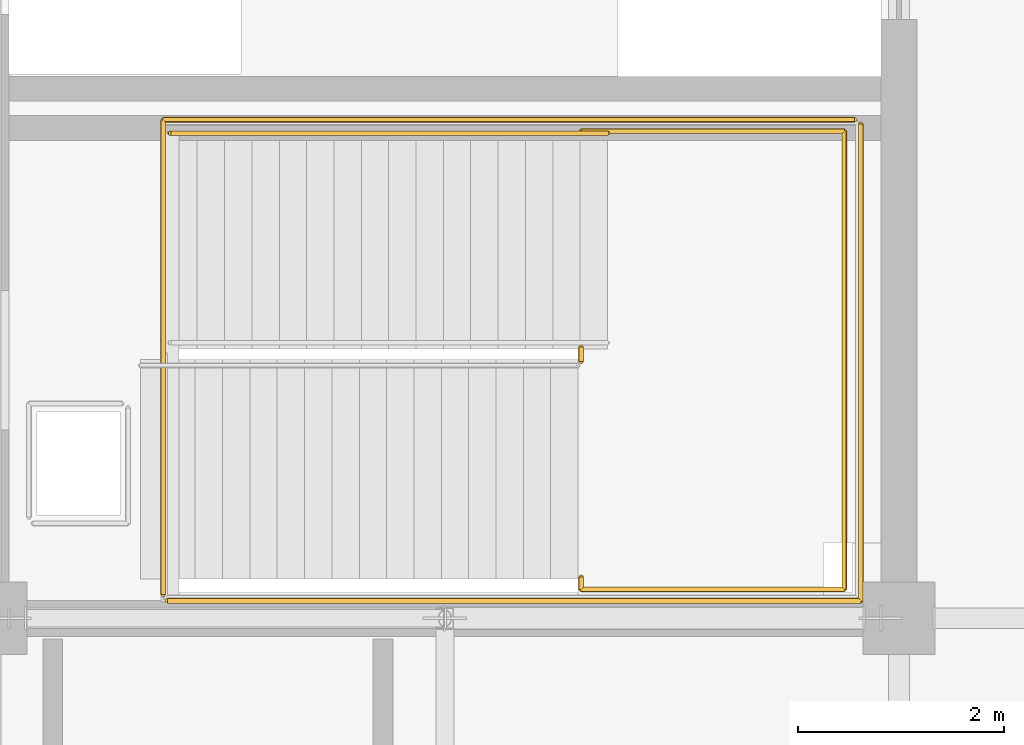
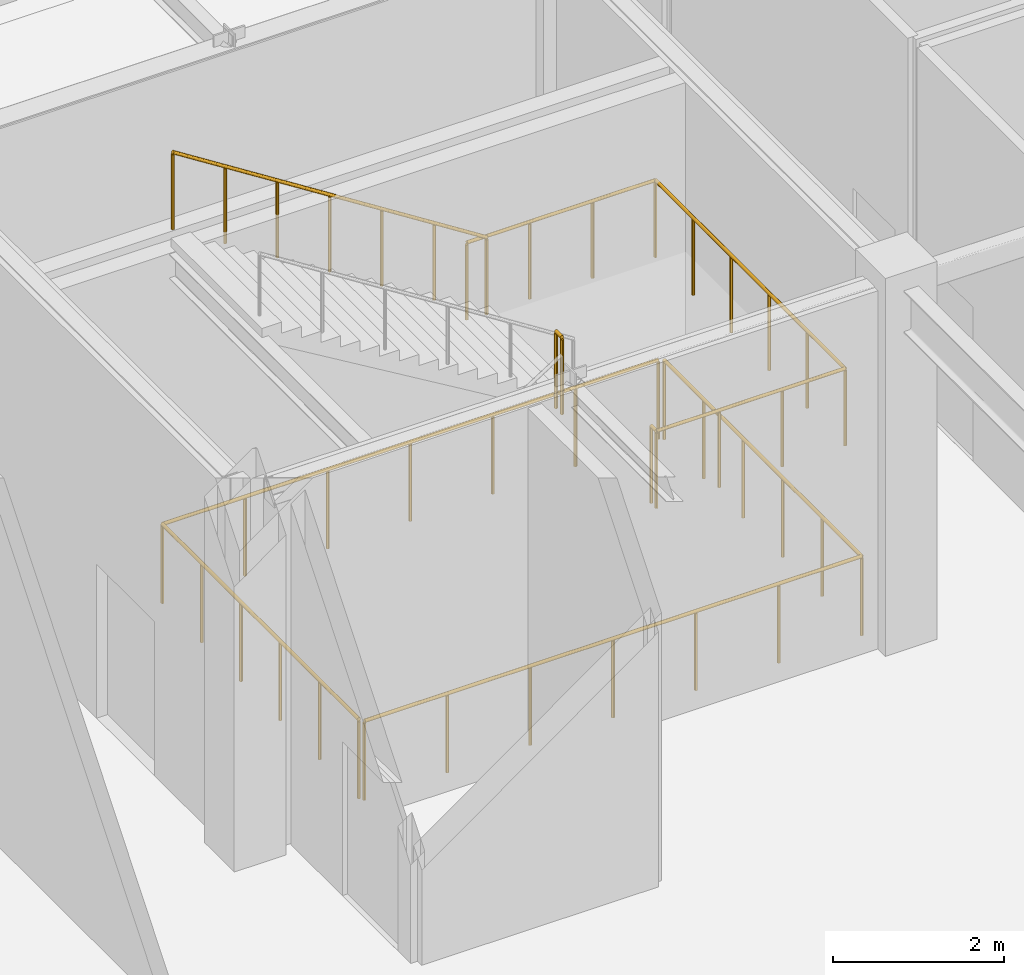
# One storey, part 174 of 184: 5 railings.
"""IFC4 building model written with IfcOpenShell, lengths in metres."""

from ifc_helpers import new_model, si_unit, direction, frame, origin, origin_2d, place, context, subcontext, project, spatial, circle, extrude, material, type_object, element, save


model = new_model("IFC4")

# Units and contexts
model_context = context("Model", 3, precision=1e-05, world=origin(), true_north=direction((0.0, 1.0)))
body_context = subcontext(model_context, "Body", "Model", "MODEL_VIEW")
ifc_project = project(units=[si_unit("LENGTHUNIT", "METRE"), si_unit("AREAUNIT", "SQUARE_METRE"), si_unit("VOLUMEUNIT", "CUBIC_METRE"), si_unit("PLANEANGLEUNIT", "RADIAN"), si_unit("MASSUNIT", "GRAM", prefix="KILO")], contexts=[model_context])

# Site, building, storey
site_placement = place(None, origin())
site = spatial("IfcSite", under=ifc_project, at=site_placement, CompositionType="ELEMENT")
building_placement = place(site_placement, origin())
building = spatial("IfcBuilding", under=site, at=building_placement, Name="Zhaolan Boulevard Law Courts", CompositionType="ELEMENT")
storey_placement = place(building_placement, frame((0.0, 0.0, 5.39990234375)))
storey = spatial("IfcBuildingStorey", under=building, at=storey_placement, Name="L01", CompositionType="ELEMENT", Elevation=5.39990234375)

# Railings
ifc_material_1 = material(Name="Powder-coated steel and tempered laminated glass", Category="steel")
railing_type_1 = type_object("IfcRailingType", Name="INTERIOR GUARDRAIL 1150", PredefinedType="GUARDRAIL", material=ifc_material_1)
railing_1_placement = place(storey_placement, frame((19.31005859375, 62.169921875, 0.0)))
element("IfcRailing", 1, at=railing_1_placement, inside=storey, type_object=railing_type_1, Name="Atrium Gallery Guardrail VG-1-V5-7A", PredefinedType="GUARDRAIL", context=body_context, shape_type="SweptSolid", body=[
    extrude(circle(Radius=0.02490234375, at=origin_2d()), frame((0.0, 0.0, 1.125), z_axis=(1.0, 0.0, 0.0), x_axis=(0.0, 1.0, 0.0)), (0.0, 0.0, 1.0), 6.719970703125),
    extrude(circle(Radius=0.02490234375, at=origin_2d()), frame((6.719970703125, 0.0, 1.125), z_axis=(0.0, 1.0, 0.0), x_axis=(-1.0, 0.0, 0.0)), (0.0, 0.0, 1.0), 4.6201171875),
    extrude(circle(Radius=0.02099609375, at=origin_2d()), origin(), (0.0, 0.0, 1.0), 1.099853515625),
    extrude(circle(Radius=0.02099609375, at=origin_2d()), frame((1.1201171875, 0.0, 0.0)), (0.0, 0.0, 1.0), 1.099853515625),
    extrude(circle(Radius=0.02099609375, at=origin_2d()), frame((2.239990234375, 0.0, 0.0)), (0.0, 0.0, 1.0), 1.099853515625),
    extrude(circle(Radius=0.02099609375, at=origin_2d()), frame((3.35986328125, 0.0, 0.0)), (0.0, 0.0, 1.0), 1.099853515625),
    extrude(circle(Radius=0.02099609375, at=origin_2d()), frame((4.47998046875, 0.0, 0.0)), (0.0, 0.0, 1.0), 1.099853515625),
    extrude(circle(Radius=0.02099609375, at=origin_2d()), frame((5.60009765625, 0.0, 0.0)), (0.0, 0.0, 1.0), 1.099853515625),
    extrude(circle(Radius=0.02099609375, at=origin_2d()), frame((6.719970703125, 0.0, 0.0)), (0.0, 0.0, 1.0), 1.099853515625),
    extrude(circle(Radius=0.02099609375, at=origin_2d()), frame((6.719970703125, 0.924072265625, 0.0)), (0.0, 0.0, 1.0), 1.099853515625),
    extrude(circle(Radius=0.02099609375, at=origin_2d()), frame((6.719970703125, 1.84814453125, 0.0)), (0.0, 0.0, 1.0), 1.099853515625),
    extrude(circle(Radius=0.02099609375, at=origin_2d()), frame((6.719970703125, 2.77197265625, 0.0)), (0.0, 0.0, 1.0), 1.099853515625),
    extrude(circle(Radius=0.02099609375, at=origin_2d()), frame((6.719970703125, 3.696044921875, 0.0)), (0.0, 0.0, 1.0), 1.099853515625),
    extrude(circle(Radius=0.02099609375, at=origin_2d()), frame((6.719970703125, 4.6201171875, 0.0)), (0.0, 0.0, 1.0), 1.099853515625),
])
railing_2_placement = place(storey_placement, frame((25.969970703125, 66.830078125, 0.0)))
element("IfcRailing", 2, at=railing_2_placement, inside=storey, type_object=railing_type_1, Name="Atrium Gallery Guardrail VG-1-V5-7B", PredefinedType="GUARDRAIL", context=body_context, shape_type="SweptSolid", body=[
    extrude(circle(Radius=0.02490234375, at=origin_2d()), frame((0.0, 0.0, 1.125), z_axis=(-1.0, 0.0, 0.0), x_axis=(0.0, -1.0, 0.0)), (0.0, 0.0, 1.0), 6.699951171875),
    extrude(circle(Radius=0.02490234375, at=origin_2d()), frame((-6.699951171875, 0.0, 1.125), z_axis=(0.0, -1.0, 0.0), x_axis=(1.0, 0.0, 0.0)), (0.0, 0.0, 1.0), 4.60009765625),
    extrude(circle(Radius=0.02099609375, at=origin_2d()), origin(), (0.0, 0.0, 1.0), 1.099853515625),
    extrude(circle(Radius=0.02099609375, at=origin_2d()), frame((-1.11669921875, 0.0, 0.0)), (0.0, 0.0, 1.0), 1.099853515625),
    extrude(circle(Radius=0.02099609375, at=origin_2d()), frame((-2.2333984375, 0.0, 0.0)), (0.0, 0.0, 1.0), 1.099853515625),
    extrude(circle(Radius=0.02099609375, at=origin_2d()), frame((-3.35009765625, 0.0, 0.0)), (0.0, 0.0, 1.0), 1.099853515625),
    extrude(circle(Radius=0.02099609375, at=origin_2d()), frame((-4.466552734375, 0.0, 0.0)), (0.0, 0.0, 1.0), 1.099853515625),
    extrude(circle(Radius=0.02099609375, at=origin_2d()), frame((-5.583251953125, 0.0, 0.0)), (0.0, 0.0, 1.0), 1.099853515625),
    extrude(circle(Radius=0.02099609375, at=origin_2d()), frame((-6.699951171875, 0.0, 0.0)), (0.0, 0.0, 1.0), 1.099853515625),
    extrude(circle(Radius=0.02099609375, at=origin_2d()), frame((-6.699951171875, -0.919921875, 0.0)), (0.0, 0.0, 1.0), 1.099853515625),
    extrude(circle(Radius=0.02099609375, at=origin_2d()), frame((-6.699951171875, -1.840087890625, 0.0)), (0.0, 0.0, 1.0), 1.099853515625),
    extrude(circle(Radius=0.02099609375, at=origin_2d()), frame((-6.699951171875, -2.760009765625, 0.0)), (0.0, 0.0, 1.0), 1.099853515625),
    extrude(circle(Radius=0.02099609375, at=origin_2d()), frame((-6.699951171875, -3.68017578125, 0.0)), (0.0, 0.0, 1.0), 1.099853515625),
    extrude(circle(Radius=0.02099609375, at=origin_2d()), frame((-6.699951171875, -4.60009765625, 0.0)), (0.0, 0.0, 1.0), 1.099853515625),
])
ifc_material_2 = material(Name="Powder-coated steel baluster guardrail", Category="steel")
railing_type_2 = type_object("IfcRailingType", Name="STAIR WELL GUARDRAIL 1120", PredefinedType="GUARDRAIL", material=ifc_material_2)
railing_3_placement = place(storey_placement, frame((23.320068359375, 62.39990234375, 2.7001953125)))
element("IfcRailing", 3, at=railing_3_placement, inside=storey, type_object=railing_type_2, Name="Half-Landing Guardrail SG-ST02-L01-M", PredefinedType="GUARDRAIL", context=body_context, shape_type="SweptSolid", body=[
    extrude(circle(Radius=0.02392578125, at=origin_2d()), frame((0.0, 0.0, 1.09619140625), z_axis=(0.0, -1.0, 0.0), x_axis=(1.0, 0.0, 0.0)), (0.0, 0.0, 1.0), 0.119873046875),
    extrude(circle(Radius=0.02392578125, at=origin_2d()), frame((0.0, -0.119873046875, 1.09619140625), z_axis=(1.0, 0.0, 0.0), x_axis=(0.0, 1.0, 0.0)), (0.0, 0.0, 1.0), 2.550048828125),
    extrude(circle(Radius=0.02392578125, at=origin_2d()), frame((2.550048828125, -0.119873046875, 1.09619140625), z_axis=(0.0, 1.0, 0.0), x_axis=(-1.0, 0.0, 0.0)), (0.0, 0.0, 1.0), 4.43994140625),
    extrude(circle(Radius=0.02392578125, at=origin_2d()), frame((2.550048828125, 4.320068359375, 1.09619140625), z_axis=(-1.0, 0.0, 0.0), x_axis=(0.0, -1.0, 0.0)), (0.0, 0.0, 1.0), 2.550048828125),
    extrude(circle(Radius=0.02099609375, at=origin_2d()), origin(), (0.0, 0.0, 1.0), 1.072021484375),
    extrude(circle(Radius=0.02099609375, at=origin_2d()), frame((0.0, -0.119873046875, 0.0)), (0.0, 0.0, 1.0), 1.072021484375),
    extrude(circle(Radius=0.02099609375, at=origin_2d()), frame((0.85009765625, -0.119873046875, 0.0)), (0.0, 0.0, 1.0), 1.072021484375),
    extrude(circle(Radius=0.02099609375, at=origin_2d()), frame((1.699951171875, -0.119873046875, 0.0)), (0.0, 0.0, 1.0), 1.072021484375),
    extrude(circle(Radius=0.02099609375, at=origin_2d()), frame((2.550048828125, -0.119873046875, 0.0)), (0.0, 0.0, 1.0), 1.072021484375),
    extrude(circle(Radius=0.02099609375, at=origin_2d()), frame((2.550048828125, 0.76806640625, 0.0)), (0.0, 0.0, 1.0), 1.072021484375),
    extrude(circle(Radius=0.02099609375, at=origin_2d()), frame((2.550048828125, 1.656005859375, 0.0)), (0.0, 0.0, 1.0), 1.072021484375),
    extrude(circle(Radius=0.02099609375, at=origin_2d()), frame((2.550048828125, 2.544189453125, 0.0)), (0.0, 0.0, 1.0), 1.072021484375),
    extrude(circle(Radius=0.02099609375, at=origin_2d()), frame((2.550048828125, 3.43212890625, 0.0)), (0.0, 0.0, 1.0), 1.072021484375),
    extrude(circle(Radius=0.02099609375, at=origin_2d()), frame((2.550048828125, 4.320068359375, 0.0)), (0.0, 0.0, 1.0), 1.072021484375),
    extrude(circle(Radius=0.02099609375, at=origin_2d()), frame((1.699951171875, 4.320068359375, 0.0)), (0.0, 0.0, 1.0), 1.072021484375),
    extrude(circle(Radius=0.02099609375, at=origin_2d()), frame((0.85009765625, 4.320068359375, 0.0)), (0.0, 0.0, 1.0), 1.072021484375),
    extrude(circle(Radius=0.02099609375, at=origin_2d()), frame((0.0, 4.320068359375, 0.0)), (0.0, 0.0, 1.0), 1.072021484375),
])
railing_4_placement = place(storey_placement, frame((23.320068359375, 64.489990234375, 2.7001953125)))
element("IfcRailing", 4, at=railing_4_placement, inside=storey, type_object=railing_type_2, Name="Half-Landing Well Guardrail SG-ST02-L01-W", PredefinedType="GUARDRAIL", context=body_context, shape_type="SweptSolid", body=[
    extrude(circle(Radius=0.02392578125, at=origin_2d()), frame((0.0, 0.0, 1.09619140625), z_axis=(0.0, 1.0, 0.0), x_axis=(-1.0, 0.0, 0.0)), (0.0, 0.0, 1.0), 0.139892578125),
    extrude(circle(Radius=0.02099609375, at=origin_2d()), origin(), (0.0, 0.0, 1.0), 1.072021484375),
    extrude(circle(Radius=0.02099609375, at=origin_2d()), frame((0.0, 0.139892578125, 0.0)), (0.0, 0.0, 1.0), 1.072021484375),
])
railing_5_placement = place(storey_placement, frame((23.574951171875, 66.699951171875, 2.7001953125)))
element("IfcRailing", 5, at=railing_5_placement, inside=storey, type_object=railing_type_2, Name="Flight Guardrail SG-ST02-L01-F2", PredefinedType="GUARDRAIL", context=body_context, shape_type="SweptSolid", body=[
    extrude(circle(Radius=0.02392578125, at=origin_2d()), frame((0.0, 0.0, 1.09619140625), z_axis=(-0.843501457581, 0.0, 0.537126885437), x_axis=(0.0, -1.0, 0.0)), (0.0, 0.0, 1.0), 5.026611328125),
    extrude(circle(Radius=0.02099609375, at=origin_2d()), origin(), (0.0, 0.0, 1.0), 1.072021484375),
    extrude(circle(Radius=0.02099609375, at=origin_2d()), frame((-0.70654296875, 0.0, 0.449951171875)), (0.0, 0.0, 1.0), 1.072021484375),
    extrude(circle(Radius=0.02099609375, at=origin_2d()), frame((-1.413330078125, 0.0, 0.89990234375)), (0.0, 0.0, 1.0), 1.072021484375),
    extrude(circle(Radius=0.02099609375, at=origin_2d()), frame((-2.1201171875, 0.0, 1.35009765625)), (0.0, 0.0, 1.0), 1.072021484375),
    extrude(circle(Radius=0.02099609375, at=origin_2d()), frame((-2.82666015625, 0.0, 1.800048828125)), (0.0, 0.0, 1.0), 1.072021484375),
    extrude(circle(Radius=0.02099609375, at=origin_2d()), frame((-3.533203125, 0.0, 2.25)), (0.0, 0.0, 1.0), 1.072021484375),
    extrude(circle(Radius=0.02099609375, at=origin_2d()), frame((-4.239990234375, 0.0, 2.699951171875)), (0.0, 0.0, 1.0), 1.072021484375),
])

save(model, "model.ifc")
